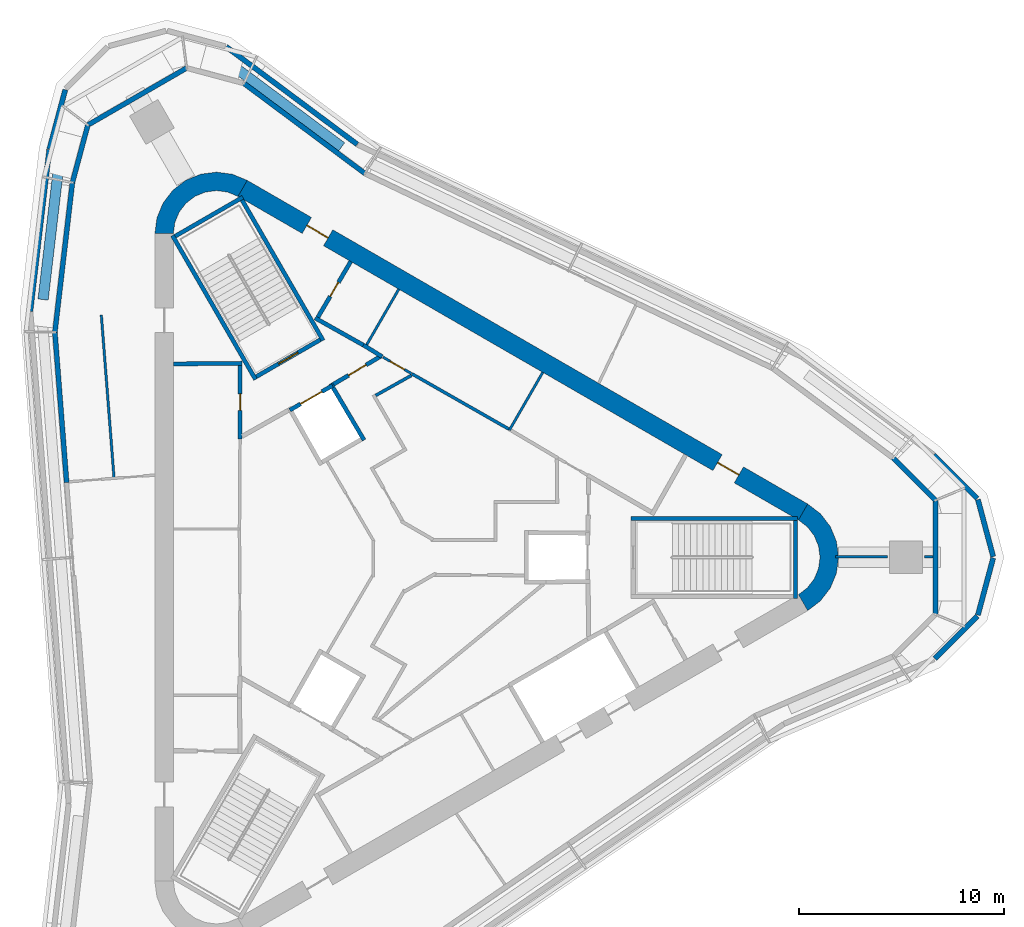
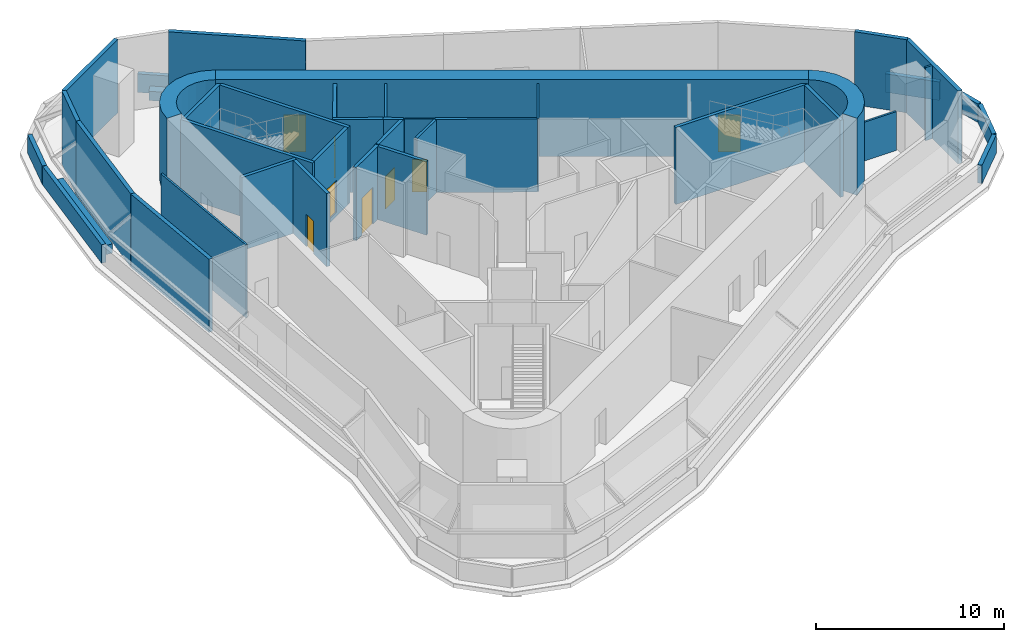
# One storey, part 5 of 7: 41 walls, 8 doors, 8 openings.
"""IFC4 building model written with IfcOpenShell, lengths in metres."""

from ifc_helpers import new_model, si_unit, direction, frame, frame_2d, origin, place, context, subcontext, project, spatial, polyline, rectangle, outline, extrude, material, layer, layer_set, type_object, element, fill, save


model = new_model("IFC4")

# Units and contexts
model_context = context("Model", 3, precision=1e-05, world=origin(), true_north=direction((0.0, 1.0)))
body_context = subcontext(model_context, "Body", "Model", "MODEL_VIEW")
ifc_project = project(units=[si_unit("LENGTHUNIT", "METRE"), si_unit("AREAUNIT", "SQUARE_METRE"), si_unit("VOLUMEUNIT", "CUBIC_METRE"), si_unit("PLANEANGLEUNIT", "RADIAN"), si_unit("MASSUNIT", "GRAM", prefix="KILO")], contexts=[model_context])

# Site, building, storey
site_placement = place(None, origin())
site = spatial("IfcSite", under=ifc_project, at=site_placement, CompositionType="ELEMENT")
building_placement = place(site_placement, origin())
building = spatial("IfcBuilding", under=site, at=building_placement, Name="Tanit Gate Tower", CompositionType="ELEMENT")
storey_placement = place(building_placement, frame((0.0, 0.0, 420.300048828125)))
storey = spatial("IfcBuildingStorey", under=building, at=storey_placement, Name="L95", CompositionType="ELEMENT", Elevation=420.300048828125)

# Wall, openings, doors
ifc_material_1 = material(Name="Concrete C40/50", Category="concrete")
ifc_layer_1 = layer(ifc_material_1, 0.89990234375)
ifc_layer_set_1 = layer_set([ifc_layer_1], Name="CORE WALL 900 C40/50")
wall_type_1 = type_object("IfcWallType", Name="CORE WALL 900 C40/50", PredefinedType="SHEAR", material=ifc_layer_set_1)
wall_1_placement = place(storey_placement, frame((19.47509765625, 2.20849609375, 0.0), z_axis=(0.0, 0.0, 1.0), x_axis=(-0.866028369851, 0.499994862586, 0.0)))
wall_1 = element("IfcWall", 1, at=wall_1_placement, inside=storey, type_object=wall_type_1, Name="CORE WALL", PredefinedType="SHEAR", context=body_context, shape_type="SweptSolid", body=[
    extrude(rectangle(XDim=31.523193359375, YDim=0.89990234375, at=frame_2d((15.76171875, 0.0))), origin(), (0.0, 0.0, 1.0), 5.0),
])
opening_1_placement = place(wall_1_placement, frame((3.611572265625, 0.0, 0.0)))
opening_1 = element("IfcOpeningElement", 2, at=opening_1_placement, cuts=wall_1, Name="Opening F12-95-FL1", PredefinedType="OPENING", context=body_context, shape_type="SweptSolid", body=[
    extrude(rectangle(XDim=1.199951171875, YDim=2.39990234375, at=frame_2d((0.60009765625, 1.199951171875))), frame((0.0, 0.4599609375, 0.0), z_axis=(0.0, -1.0, 0.0), x_axis=(1.0, 0.0, 0.0)), (0.0, 0.0, 1.0), 0.919921875),
])
opening_2_placement = place(wall_1_placement, frame((26.711669921875, 0.0, 0.0)))
opening_2 = element("IfcOpeningElement", 3, at=opening_2_placement, cuts=wall_1, Name="Opening F12-95-S2", PredefinedType="OPENING", context=body_context, shape_type="SweptSolid", body=[
    extrude(rectangle(XDim=1.199951171875, YDim=2.39990234375, at=frame_2d((0.60009765625, 1.199951171875))), frame((0.0, 0.4599609375, 0.0), z_axis=(0.0, -1.0, 0.0), x_axis=(1.0, 0.0, 0.0)), (0.0, 0.0, 1.0), 0.919921875),
])
ifc_material_2 = material(Name="Fire-rated steel door leaf", Category="steel")
door_type_1 = type_object("IfcDoorType", Name="INT-DOOR-FIRE-LOBBY-1200", OperationType="NOTDEFINED", PredefinedType="USERDEFINED", material=ifc_material_2)
door_1_placement = place(opening_1_placement, origin())
door_1 = element("IfcDoor", 4, at=door_1_placement, inside=storey, type_object=door_type_1, Name="Door F12-95-FL1", ObjectType="FIRE DOOR", OperationType="SINGLE_SWING_RIGHT", OverallHeight=2.39990234375, OverallWidth=1.199951171875, PredefinedType="USERDEFINED", context=body_context, shape_type="SweptSolid", body=[
    extrude(rectangle(XDim=1.199951171875, YDim=2.39990234375, at=frame_2d((0.60009765625, 1.199951171875))), frame((0.0, 0.02490234375, 0.0), z_axis=(0.0, -1.0, 0.0), x_axis=(1.0, 0.0, 0.0)), (0.0, 0.0, 1.0), 0.050048828125),
])
fill(opening_1, door_1)
door_2_placement = place(opening_2_placement, origin())
door_2 = element("IfcDoor", 5, at=door_2_placement, inside=storey, type_object=door_type_1, Name="Door F12-95-S2", ObjectType="FIRE DOOR", OperationType="SINGLE_SWING_RIGHT", OverallHeight=2.39990234375, OverallWidth=1.199951171875, PredefinedType="USERDEFINED", context=body_context, shape_type="SweptSolid", body=[
    extrude(rectangle(XDim=1.199951171875, YDim=2.39990234375, at=frame_2d((0.60009765625, 1.199951171875))), frame((0.0, 0.02490234375, 0.0), z_axis=(0.0, -1.0, 0.0), x_axis=(1.0, 0.0, 0.0)), (0.0, 0.0, 1.0), 0.050048828125),
])
fill(opening_2, door_2)

# Walls
wall_2_placement = place(storey_placement, origin())
element("IfcWall", 6, at=wall_2_placement, inside=storey, type_object=wall_type_1, Name="CORE WALL CORNER", PredefinedType="SHEAR", context=body_context, shape_type="SweptSolid", body=[
    extrude(outline(polyline([(-7.60009765625, 18.359619140625), (-8.323486328125, 18.659423828125), (-9.10009765625, 18.76171875), (-9.87646484375, 18.659423828125), (-10.60009765625, 18.359619140625), (-11.22119140625, 17.883056640625), (-11.697998046875, 17.26171875), (-11.997802734375, 16.5380859375), (-12.10009765625, 15.76171875), (-11.199951171875, 15.76171875), (-11.12841796875, 16.30517578125), (-10.918701171875, 16.811767578125), (-10.5849609375, 17.24658203125), (-10.14990234375, 17.580322265625), (-9.6435546875, 17.7900390625), (-9.10009765625, 17.86181640625), (-8.556396484375, 17.7900390625), (-8.050048828125, 17.580322265625), (-7.60009765625, 18.359619140625)])), origin(), (0.0, 0.0, 1.0), 5.0),
])
wall_3_placement = place(storey_placement, origin())
element("IfcWall", 7, at=wall_3_placement, inside=storey, type_object=wall_type_1, Name="CORE WALL CORNER", PredefinedType="SHEAR", context=body_context, shape_type="SweptSolid", body=[
    extrude(outline(polyline([(19.699951171875, -2.59814453125), (20.3212890625, -2.121337890625), (20.798095703125, -1.5), (21.097900390625, -0.776611328125), (21.199951171875, 0.0), (21.097900390625, 0.776611328125), (20.798095703125, 1.5), (20.3212890625, 2.121337890625), (19.699951171875, 2.59814453125), (19.25, 1.818603515625), (19.684814453125, 1.48486328125), (20.018798828125, 1.050048828125), (20.228515625, 0.54345703125), (20.300048828125, 0.0), (20.228515625, -0.54345703125), (20.018798828125, -1.050048828125), (19.684814453125, -1.48486328125), (19.25, -1.818603515625), (19.699951171875, -2.59814453125)])), origin(), (0.0, 0.0, 1.0), 5.0),
])
ifc_material_3 = material(Name="Concrete C30/37 with bronze anodised aluminium cladding", Category="concrete")
ifc_layer_2 = layer(ifc_material_3, 0.239990234375)
ifc_layer_set_2 = layer_set([ifc_layer_2], Name="Facade wall bronze clad 240")
wall_type_2 = type_object("IfcWallType", Name="Facade wall bronze clad 240", PredefinedType="SOLIDWALL", material=ifc_layer_set_2)
wall_4_placement = place(storey_placement, frame((-1.870361328125, 18.697265625, 0.0), z_axis=(0.0, 0.0, 1.0), x_axis=(-0.801980807662, 0.597349800488, 0.0)))
element("IfcWall", 8, at=wall_4_placement, inside=storey, type_object=wall_type_2, Name="Bronze-clad facade wall L95 NE3", PredefinedType="SOLIDWALL", context=body_context, shape_type="SweptSolid", body=[
    extrude(rectangle(XDim=7.349365234375, YDim=0.239990234375, at=frame_2d((3.6748046875, 0.0))), origin(), (0.0, 0.0, 1.0), 4.75),
])
wall_5_placement = place(storey_placement, frame((-10.552001953125, 23.83447265625, 0.0), z_axis=(0.0, 0.0, 1.0), x_axis=(-0.866034164019, -0.499984826521, 0.0)))
element("IfcWall", 9, at=wall_5_placement, inside=storey, type_object=wall_type_2, Name="Bronze-clad facade wall L95 NW.arc2", PredefinedType="SOLIDWALL", context=body_context, shape_type="SweptSolid", body=[
    extrude(rectangle(XDim=5.557861328125, YDim=0.239990234375, at=frame_2d((2.77880859375, 0.0))), origin(), (0.0, 0.0, 1.0), 4.75),
])
wall_6_placement = place(storey_placement, frame((-15.365234375, 21.0556640625, 0.0), z_axis=(0.0, 0.0, 1.0), x_axis=(-0.258762733516, -0.965940913174, 0.0)))
element("IfcWall", 10, at=wall_6_placement, inside=storey, type_object=wall_type_2, Name="Bronze-clad facade wall L95 NW.arc3", PredefinedType="SOLIDWALL", context=body_context, shape_type="SweptSolid", body=[
    extrude(rectangle(XDim=2.900390625, YDim=0.239990234375, at=frame_2d((1.4501953125, 0.0))), origin(), (0.0, 0.0, 1.0), 4.75),
])
wall_7_placement = place(storey_placement, frame((-16.11572265625, 18.254150390625, 0.0), z_axis=(0.0, 0.0, 1.0), x_axis=(-0.116343355058, -0.993209053389, 0.0)))
element("IfcWall", 11, at=wall_7_placement, inside=storey, type_object=wall_type_2, Name="Bronze-clad facade wall L95 W1", PredefinedType="SOLIDWALL", context=body_context, shape_type="SweptSolid", body=[
    extrude(rectangle(XDim=7.34033203125, YDim=0.239990234375, at=frame_2d((3.670166015625, 0.0))), origin(), (0.0, 0.0, 1.0), 4.75),
])
wall_8_placement = place(storey_placement, frame((-16.9697265625, 10.963623046875, 0.0), z_axis=(0.0, 0.0, 1.0), x_axis=(0.077865474149, -0.99696387494, 0.0)))
element("IfcWall", 12, at=wall_8_placement, inside=storey, type_object=wall_type_2, Name="Bronze-clad facade wall L95 W2a", PredefinedType="SOLIDWALL", context=body_context, shape_type="SweptSolid", body=[
    extrude(rectangle(XDim=7.34619140625, YDim=0.239990234375, at=frame_2d((3.673095703125, 0.0))), origin(), (0.0, 0.0, 1.0), 4.75),
])
wall_9_placement = place(storey_placement, frame((25.917236328125, -2.77880859375, 0.0), z_axis=(0.0, 0.0, 1.0), x_axis=(0.0, 1.0, 0.0)))
element("IfcWall", 13, at=wall_9_placement, inside=storey, type_object=wall_type_2, Name="Bronze-clad facade wall L95 E.arc2", PredefinedType="SOLIDWALL", context=body_context, shape_type="SweptSolid", body=[
    extrude(rectangle(XDim=5.5576171875, YDim=0.239990234375, at=frame_2d((2.77880859375, 0.0))), origin(), (0.0, 0.0, 1.0), 4.75),
])
wall_10_placement = place(storey_placement, frame((25.917236328125, 2.77880859375, 0.0), z_axis=(0.0, 0.0, 1.0), x_axis=(-0.707106781187, 0.707106781187, 0.0)))
element("IfcWall", 14, at=wall_10_placement, inside=storey, type_object=wall_type_2, Name="Bronze-clad facade wall L95 E.arc3", PredefinedType="SOLIDWALL", context=body_context, shape_type="SweptSolid", body=[
    extrude(rectangle(XDim=2.900146484375, YDim=0.239990234375, at=frame_2d((1.4501953125, 0.0))), origin(), (0.0, 0.0, 1.0), 4.75),
])
ifc_material_4 = material(Name="Fire-rated gypsum board partition")
ifc_layer_3 = layer(ifc_material_4, 0.199951171875)
ifc_layer_set_3 = layer_set([ifc_layer_3], Name="INT-WALL-COMPARTMENT")
wall_type_3 = type_object("IfcWallType", Name="INT-WALL-COMPARTMENT", PredefinedType="PARTITIONING", material=ifc_layer_set_3)
wall_11_placement = place(storey_placement, frame((-7.85009765625, 9.450927734375, 0.0), z_axis=(0.0, 0.0, 1.0), x_axis=(-0.999957167047, -0.009255488683, 0.0)))
element("IfcWall", 15, at=wall_11_placement, inside=storey, type_object=wall_type_3, Name="Wall Compartment W035", PredefinedType="PARTITIONING", context=body_context, shape_type="SweptSolid", body=[
    extrude(rectangle(XDim=3.35009765625, YDim=0.199951171875, at=frame_2d((1.675048828125, 0.0))), origin(), (0.0, 0.0, 1.0), 4.75),
])

# Wall, opening, door
wall_12_placement = place(storey_placement, frame((-7.949951171875, 5.7724609375, 0.0), z_axis=(0.0, 0.0, 1.0), x_axis=(0.0, 1.0, 0.0)))
wall_12 = element("IfcWall", 16, at=wall_12_placement, inside=storey, type_object=wall_type_3, Name="Wall Compartment W036", PredefinedType="PARTITIONING", context=body_context, shape_type="SweptSolid", body=[
    extrude(rectangle(XDim=3.57763671875, YDim=0.199951171875, at=frame_2d((1.788818359375, 0.0))), origin(), (0.0, 0.0, 1.0), 4.75),
])
opening_3_placement = place(wall_12_placement, frame((1.388916015625, 0.0, 0.0)))
opening_3 = element("IfcOpeningElement", 17, at=opening_3_placement, cuts=wall_12, Name="Opening R08-95-14", PredefinedType="OPENING", context=body_context, shape_type="SweptSolid", body=[
    extrude(rectangle(XDim=0.800048828125, YDim=2.10009765625, at=frame_2d((0.39990234375, 1.050048828125))), frame((0.0, 0.10986328125, 0.0), z_axis=(0.0, -1.0, 0.0), x_axis=(1.0, 0.0, 0.0)), (0.0, 0.0, 1.0), 0.219970703125),
])
ifc_material_5 = material(Name="Timber door leaf", Category="wood")
door_type_2 = type_object("IfcDoorType", Name="INT-DOOR-RISER-800", OperationType="NOTDEFINED", PredefinedType="USERDEFINED", material=ifc_material_5)
door_3_placement = place(opening_3_placement, origin())
door_3 = element("IfcDoor", 18, at=door_3_placement, inside=storey, type_object=door_type_2, Name="Door R08-95-14", ObjectType="FIRE DOOR", OperationType="SINGLE_SWING_RIGHT", OverallHeight=2.10009765625, OverallWidth=0.800048828125, PredefinedType="USERDEFINED", context=body_context, shape_type="SweptSolid", body=[
    extrude(rectangle(XDim=0.800048828125, YDim=2.10009765625, at=frame_2d((0.39990234375, 1.050048828125))), frame((0.0, 0.02490234375, 0.0), z_axis=(0.0, -1.0, 0.0), x_axis=(1.0, 0.0, 0.0)), (0.0, 0.0, 1.0), 0.050048828125),
])
fill(opening_3, door_3)

# Walls
wall_13_placement = place(storey_placement, frame((-1.940673828125, 10.338623046875, 0.0), z_axis=(0.0, 0.0, 1.0), x_axis=(0.850216889117, -0.526432561171, 0.0)))
element("IfcWall", 19, at=wall_13_placement, inside=storey, type_object=wall_type_3, Name="Wall Compartment W049", PredefinedType="PARTITIONING", context=body_context, shape_type="SweptSolid", body=[
    extrude(rectangle(XDim=1.078369140625, YDim=0.199951171875, at=frame_2d((0.5390625, 0.0))), origin(), (0.0, 0.0, 1.0), 4.75),
])
wall_14_placement = place(storey_placement, frame((-4.296142578125, 11.658935546875, 0.0), z_axis=(0.0, 0.0, 1.0), x_axis=(0.871534483978, -0.490334215854, 0.0)))
element("IfcWall", 20, at=wall_14_placement, inside=storey, type_object=wall_type_3, Name="Wall Compartment W052", PredefinedType="PARTITIONING", context=body_context, shape_type="SweptSolid", body=[
    extrude(rectangle(XDim=2.7001953125, YDim=0.199951171875, at=frame_2d((1.35009765625, 0.0))), origin(), (0.0, 0.0, 1.0), 4.75),
])

# Wall, opening, door
wall_15_placement = place(storey_placement, frame((-2.557861328125, 14.409423828125, 0.0), z_axis=(0.0, 0.0, 1.0), x_axis=(-0.508018930956, -0.861345903683, 0.0)))
wall_15 = element("IfcWall", 21, at=wall_15_placement, inside=storey, type_object=wall_type_3, Name="Wall Compartment W053", PredefinedType="PARTITIONING", context=body_context, shape_type="SweptSolid", body=[
    extrude(rectangle(XDim=3.150146484375, YDim=0.199951171875, at=frame_2d((1.5751953125, 0.0))), origin(), (0.0, 0.0, 1.0), 4.75),
])
opening_4_placement = place(wall_15_placement, frame((1.175048828125, 0.0, 0.0)))
opening_4 = element("IfcOpeningElement", 22, at=opening_4_placement, cuts=wall_15, Name="Opening R08-95-19", PredefinedType="OPENING", context=body_context, shape_type="SweptSolid", body=[
    extrude(rectangle(XDim=0.800048828125, YDim=2.10009765625, at=frame_2d((0.39990234375, 1.050048828125))), frame((0.0, 0.10986328125, 0.0), z_axis=(0.0, -1.0, 0.0), x_axis=(1.0, 0.0, 0.0)), (0.0, 0.0, 1.0), 0.219970703125),
])
door_4_placement = place(opening_4_placement, origin())
door_4 = element("IfcDoor", 23, at=door_4_placement, inside=storey, type_object=door_type_2, Name="Door R08-95-19", ObjectType="FIRE DOOR", OperationType="SINGLE_SWING_LEFT", OverallHeight=2.10009765625, OverallWidth=0.800048828125, PredefinedType="USERDEFINED", context=body_context, shape_type="SweptSolid", body=[
    extrude(rectangle(XDim=0.800048828125, YDim=2.10009765625, at=frame_2d((0.39990234375, 1.050048828125))), frame((0.0, 0.02490234375, 0.0), z_axis=(0.0, -1.0, 0.0), x_axis=(1.0, 0.0, 0.0)), (0.0, 0.0, 1.0), 0.050048828125),
])
fill(opening_4, door_4)

wall_16_placement = place(storey_placement, frame((-1.069091796875, 9.809814453125, 0.0), z_axis=(0.0, 0.0, 1.0), x_axis=(-0.860617791406, -0.509251428192, 0.0)))
wall_16 = element("IfcWall", 24, at=wall_16_placement, inside=storey, type_object=wall_type_3, Name="Wall Compartment W065", PredefinedType="PARTITIONING", context=body_context, shape_type="SweptSolid", body=[
    extrude(rectangle(XDim=2.709228515625, YDim=0.199951171875, at=frame_2d((1.3544921875, 0.0))), origin(), (0.0, 0.0, 1.0), 4.75),
])
opening_5_placement = place(wall_16_placement, frame((0.86083984375, 0.0, 0.0)))
opening_5 = element("IfcOpeningElement", 25, at=opening_5_placement, cuts=wall_16, Name="Opening F10-95-05", PredefinedType="OPENING", context=body_context, shape_type="SweptSolid", body=[
    extrude(rectangle(XDim=1.0, YDim=2.10009765625, at=frame_2d((0.5, 1.050048828125))), frame((0.0, 0.10986328125, 0.0), z_axis=(0.0, -1.0, 0.0), x_axis=(1.0, 0.0, 0.0)), (0.0, 0.0, 1.0), 0.219970703125),
])
ifc_material_6 = material(Name="Fire-rated steel door leaf", Category="steel")
door_type_3 = type_object("IfcDoorType", Name="INT-DOOR-FIRE-1000", OperationType="NOTDEFINED", PredefinedType="USERDEFINED", material=ifc_material_6)
door_5_placement = place(opening_5_placement, origin())
door_5 = element("IfcDoor", 26, at=door_5_placement, inside=storey, type_object=door_type_3, Name="Door F10-95-05", ObjectType="FIRE DOOR", OperationType="SINGLE_SWING_LEFT", OverallHeight=2.10009765625, OverallWidth=1.0, PredefinedType="USERDEFINED", context=body_context, shape_type="SweptSolid", body=[
    extrude(rectangle(XDim=1.0, YDim=2.10009765625, at=frame_2d((0.5, 1.050048828125))), frame((0.0, 0.02490234375, 0.0), z_axis=(0.0, -1.0, 0.0), x_axis=(1.0, 0.0, 0.0)), (0.0, 0.0, 1.0), 0.050048828125),
])
fill(opening_5, door_5)

# Wall
ifc_material_7 = material(Name="Gypsum board partition")
ifc_layer_4 = layer(ifc_material_7, 0.1201171875)
ifc_layer_set_4 = layer_set([ifc_layer_4], Name="INT-WALL-PARTITION")
wall_type_4 = type_object("IfcWallType", Name="INT-WALL-PARTITION", PredefinedType="PARTITIONING", material=ifc_layer_set_4)
wall_17_placement = place(storey_placement, frame((6.795166015625, 9.009521484375, 0.0), z_axis=(0.0, 0.0, 1.0), x_axis=(-0.499984717929, -0.866034226713, 0.0)))
element("IfcWall", 27, at=wall_17_placement, inside=storey, type_object=wall_type_4, Name="Wall Partition W043", PredefinedType="PARTITIONING", context=body_context, shape_type="SweptSolid", body=[
    extrude(rectangle(XDim=3.25, YDim=0.1201171875, at=frame_2d((1.625, 0.0))), origin(), (0.0, 0.0, 1.0), 4.75),
])

# Wall, opening, door
wall_18_placement = place(storey_placement, frame((-0.980712890625, 9.74609375, 0.0), z_axis=(0.0, 0.0, 1.0), x_axis=(0.866019818373, -0.500009674092, 0.0)))
wall_18 = element("IfcWall", 28, at=wall_18_placement, inside=storey, type_object=wall_type_4, Name="Wall Partition W051", PredefinedType="PARTITIONING", context=body_context, shape_type="SweptSolid", body=[
    extrude(rectangle(XDim=1.59423828125, YDim=0.1201171875, at=frame_2d((0.797119140625, 0.0))), origin(), (0.0, 0.0, 1.0), 4.75),
])
opening_6_placement = place(wall_18_placement, frame((0.397216796875, 0.0, 0.0)))
opening_6 = element("IfcOpeningElement", 29, at=opening_6_placement, cuts=wall_18, Name="Opening R08-95-18", PredefinedType="OPENING", context=body_context, shape_type="SweptSolid", body=[
    extrude(rectangle(XDim=0.800048828125, YDim=2.10009765625, at=frame_2d((0.39990234375, 1.050048828125))), frame((0.0, 0.070068359375, 0.0), z_axis=(0.0, -1.0, 0.0), x_axis=(1.0, 0.0, 0.0)), (0.0, 0.0, 1.0), 0.14013671875),
])
door_6_placement = place(opening_6_placement, origin())
door_6 = element("IfcDoor", 30, at=door_6_placement, inside=storey, type_object=door_type_2, Name="Door R08-95-18", ObjectType="FIRE DOOR", OperationType="SINGLE_SWING_RIGHT", OverallHeight=2.10009765625, OverallWidth=0.800048828125, PredefinedType="USERDEFINED", context=body_context, shape_type="SweptSolid", body=[
    extrude(rectangle(XDim=0.800048828125, YDim=2.10009765625, at=frame_2d((0.39990234375, 1.050048828125))), frame((0.0, 0.02490234375, 0.0), z_axis=(0.0, -1.0, 0.0), x_axis=(1.0, 0.0, 0.0)), (0.0, 0.0, 1.0), 0.050048828125),
])
fill(opening_6, door_6)

# Walls
wall_19_placement = place(storey_placement, frame((-0.2197265625, 13.0595703125, 0.0), z_axis=(0.0, 0.0, 1.0), x_axis=(-0.499984717929, -0.866034226713, 0.0)))
element("IfcWall", 31, at=wall_19_placement, inside=storey, type_object=wall_type_4, Name="Wall Partition W048", PredefinedType="PARTITIONING", context=body_context, shape_type="SweptSolid", body=[
    extrude(rectangle(XDim=3.25, YDim=0.1201171875, at=frame_2d((1.625, 0.0))), origin(), (0.0, 0.0, 1.0), 4.75),
])
wall_20_placement = place(storey_placement, frame((-14.707763671875, 11.7958984375, 0.0), z_axis=(0.0, 0.0, 1.0), x_axis=(0.07782131363, -0.996967323008, 0.0)))
element("IfcWall", 32, at=wall_20_placement, inside=storey, type_object=wall_type_4, Name="Wall Partition W088", PredefinedType="PARTITIONING", context=body_context, shape_type="SweptSolid", body=[
    extrude(rectangle(XDim=7.999755859375, YDim=0.1201171875, at=frame_2d((4.0, 0.0))), origin(), (0.0, 0.0, 1.0), 4.75),
])
wall_21_placement = place(storey_placement, frame((23.586181640625, 0.030029296875, 0.0), z_axis=(0.0, 0.0, 1.0), x_axis=(-1.0, 0.0, 0.0)))
element("IfcWall", 33, at=wall_21_placement, inside=storey, type_object=wall_type_4, Name="Wall Partition W094", PredefinedType="PARTITIONING", context=body_context, shape_type="SweptSolid", body=[
    extrude(rectangle(XDim=2.5400390625, YDim=0.1201171875, at=frame_2d((1.27001953125, 0.0))), origin(), (0.0, 0.0, 1.0), 2.52001953125),
])
wall_22_placement = place(storey_placement, frame((25.79736328125, 0.030029296875, 0.0), z_axis=(0.0, 0.0, 1.0), x_axis=(-1.0, 0.0, 0.0)))
element("IfcWall", 34, at=wall_22_placement, inside=storey, type_object=wall_type_4, Name="Wall Partition W095x1", PredefinedType="PARTITIONING", context=body_context, shape_type="SweptSolid", body=[
    extrude(rectangle(XDim=0.411376953125, YDim=0.1201171875, at=frame_2d((0.20556640625, 0.0))), origin(), (0.0, 0.0, 1.0), 4.75),
])
ifc_material_8 = material(Name="Fire-rated gypsum board partition")
ifc_layer_5 = layer(ifc_material_8, 0.14990234375)
ifc_layer_set_5 = layer_set([ifc_layer_5], Name="INT-WALL-RISER")
wall_type_5 = type_object("IfcWallType", Name="INT-WALL-RISER", PredefinedType="PLUMBINGWALL", material=ifc_layer_set_5)
wall_23_placement = place(storey_placement, frame((5.1591796875, 6.23583984375, 0.0), z_axis=(0.0, 0.0, 1.0), x_axis=(-0.868754934783, 0.495242226886, 0.0)))
element("IfcWall", 35, at=wall_23_placement, inside=storey, type_object=wall_type_5, Name="Wall Riser W050", PredefinedType="PLUMBINGWALL", context=body_context, shape_type="SweptSolid", body=[
    extrude(rectangle(XDim=5.455322265625, YDim=0.14990234375, at=frame_2d((2.7275390625, 0.0))), origin(), (0.0, 0.0, 1.0), 4.75),
])
wall_24_placement = place(storey_placement, frame((0.399169921875, 8.862548828125, 0.0), z_axis=(0.0, 0.0, 1.0), x_axis=(-0.871829419551, -0.489809619348, 0.0)))
element("IfcWall", 36, at=wall_24_placement, inside=storey, type_object=wall_type_5, Name="Wall Riser W087", PredefinedType="PLUMBINGWALL", context=body_context, shape_type="SweptSolid", body=[
    extrude(rectangle(XDim=2.002197265625, YDim=0.14990234375, at=frame_2d((1.0009765625, 0.0))), origin(), (0.0, 0.0, 1.0), 4.75),
])

# Wall, opening, door
ifc_material_9 = material(Name="Gypsum shaft wall system")
ifc_layer_6 = layer(ifc_material_9, 0.199951171875)
ifc_layer_set_6 = layer_set([ifc_layer_6], Name="INT-WALL-SHAFT")
wall_type_6 = type_object("IfcWallType", Name="INT-WALL-SHAFT", PredefinedType="PLUMBINGWALL", material=ifc_layer_set_6)
wall_25_placement = place(storey_placement, frame((-5.524169921875, 7.168212890625, 0.0), z_axis=(0.0, 0.0, 1.0), x_axis=(0.866024647952, 0.500001309137, 0.0)))
wall_25 = element("IfcWall", 37, at=wall_25_placement, inside=storey, type_object=wall_type_6, Name="Wall Shaft W020", PredefinedType="PLUMBINGWALL", context=body_context, shape_type="SweptSolid", body=[
    extrude(rectangle(XDim=2.39990234375, YDim=0.199951171875, at=frame_2d((1.199951171875, 0.0))), origin(), (0.0, 0.0, 1.0), 4.75),
])
opening_7_placement = place(wall_25_placement, frame((0.60009765625, 0.0, 0.0)))
opening_7 = element("IfcOpeningElement", 38, at=opening_7_placement, cuts=wall_25, Name="Opening LDFL2-L95", PredefinedType="OPENING", context=body_context, shape_type="SweptSolid", body=[
    extrude(rectangle(XDim=1.199951171875, YDim=2.39990234375, at=frame_2d((0.60009765625, 1.199951171875))), frame((0.0, 0.10986328125, 0.0), z_axis=(0.0, -1.0, 0.0), x_axis=(1.0, 0.0, 0.0)), (0.0, 0.0, 1.0), 0.219970703125),
])
ifc_material_10 = material(Name="Stainless steel sliding door leaf", Category="steel")
door_type_4 = type_object("IfcDoorType", Name="INT-DOOR-LANDING-1200", OperationType="NOTDEFINED", PredefinedType="USERDEFINED", material=ifc_material_10)
door_7_placement = place(opening_7_placement, origin())
door_7 = element("IfcDoor", 39, at=door_7_placement, inside=storey, type_object=door_type_4, Name="Door LDFL2-L95", ObjectType="LANDING DOOR", OperationType="SLIDING_TO_LEFT", OverallHeight=2.39990234375, OverallWidth=1.199951171875, PredefinedType="USERDEFINED", context=body_context, shape_type="SweptSolid", body=[
    extrude(rectangle(XDim=1.199951171875, YDim=2.39990234375, at=frame_2d((0.60009765625, 1.199951171875))), frame((0.0, 0.02490234375, 0.0), z_axis=(0.0, -1.0, 0.0), x_axis=(1.0, 0.0, 0.0)), (0.0, 0.0, 1.0), 0.050048828125),
])
fill(opening_7, door_7)

# Walls
wall_26_placement = place(storey_placement, frame((-3.53759765625, 8.46533203125, 0.0), z_axis=(0.0, 0.0, 1.0), x_axis=(0.508616218331, -0.860993346345, 0.0)))
element("IfcWall", 40, at=wall_26_placement, inside=storey, type_object=wall_type_6, Name="Wall Shaft W023", PredefinedType="PLUMBINGWALL", context=body_context, shape_type="SweptSolid", body=[
    extrude(rectangle(XDim=3.2001953125, YDim=0.199951171875, at=frame_2d((1.60009765625, 0.0))), origin(), (0.0, 0.0, 1.0), 4.75),
])
ifc_material_11 = material(Name="Concrete C40/50", Category="concrete")
ifc_layer_7 = layer(ifc_material_11, 0.199951171875)
ifc_layer_set_7 = layer_set([ifc_layer_7], Name="INT-WALL-STAIR")
wall_type_7 = type_object("IfcWallType", Name="INT-WALL-STAIR", PredefinedType="SHEAR", material=ifc_layer_set_7)
wall_27_placement = place(storey_placement, frame((19.199951171875, 1.89990234375, -0.25), z_axis=(0.0, 0.0, 1.0), x_axis=(-1.0, 0.0, 0.0)))
element("IfcWall", 41, at=wall_27_placement, inside=storey, type_object=wall_type_7, Name="Wall Stair W006", PredefinedType="SHEAR", context=body_context, shape_type="SweptSolid", body=[
    extrude(rectangle(XDim=8.099853515625, YDim=0.199951171875, at=frame_2d((4.0498046875, 0.0))), origin(), (0.0, 0.0, 1.0), 5.0),
])
wall_28_placement = place(storey_placement, frame((19.10009765625, -2.0, -0.25), z_axis=(0.0, 0.0, 1.0), x_axis=(0.0, 1.0, 0.0)))
element("IfcWall", 42, at=wall_28_placement, inside=storey, type_object=wall_type_7, Name="Wall Stair W007", PredefinedType="SHEAR", context=body_context, shape_type="SweptSolid", body=[
    extrude(rectangle(XDim=3.800048828125, YDim=0.199951171875, at=frame_2d((1.89990234375, 0.0))), origin(), (0.0, 0.0, 1.0), 5.0),
])
wall_29_placement = place(storey_placement, frame((-11.245361328125, 15.677734375, -0.25), z_axis=(0.0, 0.0, 1.0), x_axis=(0.499977274689, -0.866038523851, 0.0)))
element("IfcWall", 43, at=wall_29_placement, inside=storey, type_object=wall_type_7, Name="Wall Stair W016", PredefinedType="SHEAR", context=body_context, shape_type="SweptSolid", body=[
    extrude(rectangle(XDim=8.10009765625, YDim=0.199951171875, at=frame_2d((4.050048828125, 0.0))), origin(), (0.0, 0.0, 1.0), 5.0),
])
wall_30_placement = place(storey_placement, frame((-7.81787109375, 17.541015625, -0.25), z_axis=(0.0, 0.0, 1.0), x_axis=(-0.866044365799, -0.499967155389, 0.0)))
element("IfcWall", 44, at=wall_30_placement, inside=storey, type_object=wall_type_7, Name="Wall Stair W017", PredefinedType="SHEAR", context=body_context, shape_type="SweptSolid", body=[
    extrude(rectangle(XDim=3.800048828125, YDim=0.199951171875, at=frame_2d((1.89990234375, 0.0))), origin(), (0.0, 0.0, 1.0), 5.0),
])
wall_31_placement = place(storey_placement, frame((-7.8544921875, 17.404541015625, -0.25), z_axis=(0.0, 0.0, 1.0), x_axis=(0.499997992926, -0.866026562566, 0.0)))
element("IfcWall", 45, at=wall_31_placement, inside=storey, type_object=wall_type_7, Name="Wall Stair W018", PredefinedType="SHEAR", context=body_context, shape_type="SweptSolid", body=[
    extrude(rectangle(XDim=7.89990234375, YDim=0.199951171875, at=frame_2d((3.949951171875, 0.0))), origin(), (0.0, 0.0, 1.0), 5.0),
])

# Wall, opening, door
wall_32_placement = place(storey_placement, frame((-7.158935546875, 8.799560546875, -0.25), z_axis=(0.0, 0.0, 1.0), x_axis=(0.866047807691, 0.499961193289, 0.0)))
wall_32 = element("IfcWall", 46, at=wall_32_placement, inside=storey, type_object=wall_type_7, Name="Wall Stair W019", PredefinedType="SHEAR", context=body_context, shape_type="SweptSolid", body=[
    extrude(rectangle(XDim=3.599853515625, YDim=0.199951171875, at=frame_2d((1.7998046875, 0.0))), origin(), (0.0, 0.0, 1.0), 5.0),
])
opening_8_placement = place(wall_32_placement, frame((1.25, 0.0, 0.25)))
opening_8 = element("IfcOpeningElement", 47, at=opening_8_placement, cuts=wall_32, Name="Opening S11-95-04", PredefinedType="OPENING", context=body_context, shape_type="SweptSolid", body=[
    extrude(rectangle(XDim=1.10009765625, YDim=2.10009765625, at=frame_2d((0.550048828125, 1.050048828125))), frame((0.0, 0.10986328125, 0.0), z_axis=(0.0, -1.0, 0.0), x_axis=(1.0, 0.0, 0.0)), (0.0, 0.0, 1.0), 0.219970703125),
])
ifc_material_12 = material(Name="Timber door leaf", Category="wood")
door_type_5 = type_object("IfcDoorType", Name="INT-DOOR-STAIR-1100", OperationType="NOTDEFINED", PredefinedType="USERDEFINED", material=ifc_material_12)
door_8_placement = place(opening_8_placement, origin())
door_8 = element("IfcDoor", 48, at=door_8_placement, inside=storey, type_object=door_type_5, Name="Door S11-95-04", ObjectType="FIRE DOOR", OperationType="SINGLE_SWING_RIGHT", OverallHeight=2.10009765625, OverallWidth=1.10009765625, PredefinedType="USERDEFINED", context=body_context, shape_type="SweptSolid", body=[
    extrude(rectangle(XDim=1.10009765625, YDim=2.10009765625, at=frame_2d((0.550048828125, 1.050048828125))), frame((0.0, 0.02490234375, 0.0), z_axis=(0.0, -1.0, 0.0), x_axis=(1.0, 0.0, 0.0)), (0.0, 0.0, 1.0), 0.050048828125),
])
fill(opening_8, door_8)

# Walls
ifc_material_13 = material(Name="Concrete C30/37", Category="concrete")
ifc_layer_8 = layer(ifc_material_13, 0.25)
ifc_layer_set_8 = layer_set([ifc_layer_8], Name="Parapet wall 250")
wall_type_8 = type_object("IfcWallType", Name="Parapet wall 250", PredefinedType="PARAPET", material=ifc_layer_set_8)
wall_33_placement = place(storey_placement, frame((25.836181640625, 4.98974609375, 0.0400390625), z_axis=(0.0, 0.0, 1.0), x_axis=(0.707106781187, -0.707106781187, 0.0)))
element("IfcWall", 49, at=wall_33_placement, inside=storey, type_object=wall_type_8, Name="Terrace parapet L95 1", PredefinedType="PARAPET", context=body_context, shape_type="SweptSolid", body=[
    extrude(rectangle(XDim=3.0, YDim=0.25, at=frame_2d((1.5, 0.0))), origin(), (0.0, 0.0, 1.0), 1.199951171875),
])
for number, where, z_axis, x_axis, name in (
    (50, (27.989990234375, 2.812255859375, 0.0400390625), (0.0, 0.0, 1.0), (0.258829373955, -0.965923058622, 0.0), "Terrace parapet L95 2"),
    (51, (28.73486328125, -0.032470703125, 0.0400390625), (0.0, 0.0, 1.0), (-0.258829373955, -0.965923058622, 0.0), "Terrace parapet L95 3"),
):
    element("IfcWall", number, at=place(storey_placement, frame(where, z_axis=z_axis, x_axis=x_axis)), inside=storey, type_object=wall_type_8, Name=name, PredefinedType="PARAPET", context=body_context, shape_type="SweptSolid", body=[
        extrude(rectangle(XDim=2.8779296875, YDim=0.25, at=frame_2d((1.43896484375, 0.0))), origin(), (0.0, 0.0, 1.0), 1.199951171875),
    ])
wall_34_placement = place(storey_placement, frame((27.95751953125, -2.868408203125, 0.0400390625), z_axis=(0.0, 0.0, 1.0), x_axis=(-0.707106781187, -0.707106781187, 0.0)))
element("IfcWall", 52, at=wall_34_placement, inside=storey, type_object=wall_type_8, Name="Terrace parapet L95 4", PredefinedType="PARAPET", context=body_context, shape_type="SweptSolid", body=[
    extrude(rectangle(XDim=2.92578125, YDim=0.25, at=frame_2d((1.462890625, 0.0))), origin(), (0.0, 0.0, 1.0), 1.199951171875),
])
wall_35_placement = place(storey_placement, frame((-18.16552734375, 11.981689453125, 0.0400390625), z_axis=(0.0, 0.0, 1.0), x_axis=(0.116309220662, 0.993213051258, 0.0)))
element("IfcWall", 53, at=wall_35_placement, inside=storey, type_object=wall_type_8, Name="Terrace parapet L95 14", PredefinedType="PARAPET", context=body_context, shape_type="SweptSolid", body=[
    extrude(rectangle(XDim=7.9345703125, YDim=0.25, at=frame_2d((3.96728515625, 0.0))), origin(), (0.0, 0.0, 1.0), 1.199951171875),
])
wall_36_placement = place(storey_placement, frame((-17.2392578125, 19.8798828125, 0.0400390625), z_axis=(0.0, 0.0, 1.0), x_axis=(0.258776761059, 0.965937155273, 0.0)))
element("IfcWall", 54, at=wall_36_placement, inside=storey, type_object=wall_type_8, Name="Terrace parapet L95 15", PredefinedType="PARAPET", context=body_context, shape_type="SweptSolid", body=[
    extrude(rectangle(XDim=3.000244140625, YDim=0.25, at=frame_2d((1.5, 0.0))), origin(), (0.0, 0.0, 1.0), 1.199951171875),
])
wall_37_placement = place(storey_placement, frame((-8.626220703125, 24.868408203125, 0.0400390625), z_axis=(0.0, 0.0, 1.0), x_axis=(0.801983693396, -0.597345926183, 0.0)))
element("IfcWall", 55, at=wall_37_placement, inside=storey, type_object=wall_type_8, Name="Terrace parapet L95 19", PredefinedType="PARAPET", context=body_context, shape_type="SweptSolid", body=[
    extrude(rectangle(XDim=7.95751953125, YDim=0.25, at=frame_2d((3.978759765625, 0.0))), origin(), (0.0, 0.0, 1.0), 1.199951171875),
])
ifc_material_14 = material(Name="Concrete C30/37", Category="concrete")
ifc_layer_9 = layer(ifc_material_14, 0.5)
ifc_layer_set_9 = layer_set([ifc_layer_9], Name="Planter box 600")
wall_type_9 = type_object("IfcWallType", Name="Planter box 600", PredefinedType="PARAPET", material=ifc_layer_set_9)
wall_38_placement = place(storey_placement, frame((-17.544677734375, 12.554931640625, 0.0400390625), z_axis=(0.0, 0.0, 1.0), x_axis=(0.116318164717, 0.993212003832, 0.0)))
element("IfcWall", 56, at=wall_38_placement, inside=storey, type_object=wall_type_9, Name="PLANTER", PredefinedType="PARAPET", context=body_context, shape_type="SweptSolid", body=[
    extrude(rectangle(XDim=6.661865234375, YDim=0.5, at=frame_2d((3.3310546875, 0.0))), origin(), (0.0, 0.0, 1.0), 0.599853515625),
])
wall_39_placement = place(storey_placement, frame((-8.408447265625, 24.020263671875, 0.0400390625), z_axis=(0.0, 0.0, 1.0), x_axis=(0.801994390901, -0.597331563676, 0.0)))
element("IfcWall", 57, at=wall_39_placement, inside=storey, type_object=wall_type_9, Name="PLANTER", PredefinedType="PARAPET", context=body_context, shape_type="SweptSolid", body=[
    extrude(rectangle(XDim=6.7421875, YDim=0.5, at=frame_2d((3.37109375, 0.0))), origin(), (0.0, 0.0, 1.0), 0.599853515625),
])

save(model, "model.ifc")
